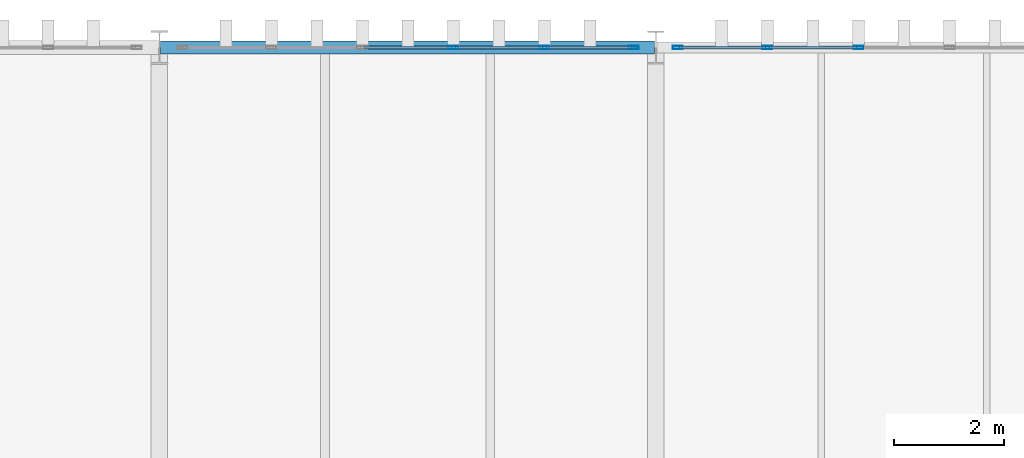
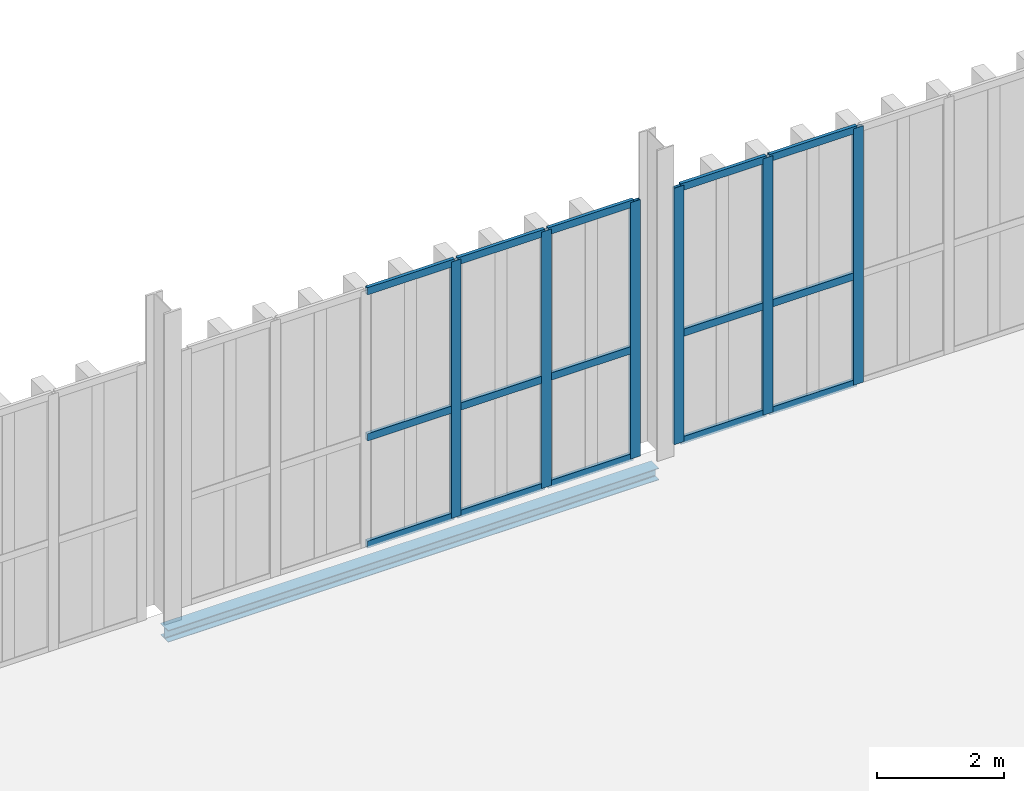
# One storey, part 138 of 211: 21 members, 1 beam, 2 elements without a shape of their own.
"""IFC4 building model written with IfcOpenShell, lengths in metres."""

from ifc_helpers import new_model, si_unit, direction, frame, origin, origin_2d, place, context, subcontext, project, spatial, hollow_rectangle, i_section, extrude, material, layer, layer_set, material_profile, profile_set, type_object, element, aggregate, save


model = new_model("IFC4")

# Units and contexts
model_context = context("Model", 3, precision=1e-05, world=origin(), true_north=direction((0.0, 1.0)))
body_context = subcontext(model_context, "Body", "Model", "MODEL_VIEW")
ifc_project = project(units=[si_unit("LENGTHUNIT", "METRE"), si_unit("AREAUNIT", "SQUARE_METRE"), si_unit("VOLUMEUNIT", "CUBIC_METRE"), si_unit("PLANEANGLEUNIT", "RADIAN"), si_unit("MASSUNIT", "GRAM", prefix="KILO")], contexts=[model_context])

# Site, building, storey
site_placement = place(None, origin())
site = spatial("IfcSite", under=ifc_project, at=site_placement, CompositionType="ELEMENT")
building_placement = place(site_placement, origin())
building = spatial("IfcBuilding", under=site, at=building_placement, Name="Barlavento Convention Centre", CompositionType="ELEMENT")
storey_placement = place(building_placement, frame((0.0, 0.0, 6.0)))
storey = spatial("IfcBuildingStorey", under=building, at=storey_placement, Name="L01", CompositionType="ELEMENT", Elevation=6.0)

# Curtain wall, members
ifc_material_1 = material(Name="Powder-coated aluminium and Low-E glass", Category="aluminium")
ifc_layer = layer(ifc_material_1, 0.179931640625)
ifc_layer_set = layer_set([ifc_layer], Name="ARC-CW-EXH-L01")
curtain_wall_type = type_object("IfcCurtainWallType", Name="ARC-CW-EXH-L01", PredefinedType="NOTDEFINED", material=ifc_layer_set)
curtain_wall_1_placement = place(storey_placement, origin())
curtain_wall_1 = element("IfcCurtainWall", 1, at=curtain_wall_1_placement, inside=storey, type_object=curtain_wall_type, Name="L01 unitised curtain wall CW04", PredefinedType="NOTDEFINED")
ifc_material_2 = material(Name="Powder-coated aluminium", Category="aluminium")
ifc_material_profile_1 = material_profile(ifc_material_2, hollow_rectangle(XDim=0.06005859375, YDim=0.179931640625, WallThickness=0.0048828125, at=origin_2d()), Name="AL-MULL 60x180x5")
ifc_profile_set_1 = profile_set([ifc_material_profile_1], Name="Powder-coated aluminium")
member_type_1 = type_object("IfcMemberType", Name="ARC-CWM-60X180", PredefinedType="MULLION", material=ifc_profile_set_1)
member_1_placement = place(storey_placement, frame((23.330078125, 135.0, 0.0), z_axis=(0.0, 0.0, 1.0), x_axis=(0.0, 1.0, 0.0)))
member_1 = element("IfcMember", 2, at=member_1_placement, type_object=member_type_1, Name="CW04 mullion 4", PredefinedType="MULLION", context=body_context, shape_type="SweptSolid", body=[
    extrude(hollow_rectangle(XDim=0.06005859375, YDim=0.179931640625, WallThickness=0.0048828125, at=origin_2d()), origin(), (0.0, 0.0, 1.0), 4.949951171875),
])
member_2_placement = place(storey_placement, frame((24.97998046875, 135.0, 0.0), z_axis=(0.0, 0.0, 1.0), x_axis=(0.0, 1.0, 0.0)))
member_2 = element("IfcMember", 3, at=member_2_placement, type_object=member_type_1, Name="CW04 mullion 5", PredefinedType="MULLION", context=body_context, shape_type="SweptSolid", body=[
    extrude(hollow_rectangle(XDim=0.06005859375, YDim=0.179931640625, WallThickness=0.0048828125, at=origin_2d()), origin(), (0.0, 0.0, 1.0), 4.949951171875),
])
member_3_placement = place(storey_placement, frame((26.60009765625, 135.0, 0.0), z_axis=(0.0, 0.0, 1.0), x_axis=(0.0, 1.0, 0.0)))
member_3 = element("IfcMember", 4, at=member_3_placement, type_object=member_type_1, Name="CW04 mullion 6", PredefinedType="MULLION", context=body_context, shape_type="SweptSolid", body=[
    extrude(hollow_rectangle(XDim=0.06005859375, YDim=0.179931640625, WallThickness=0.0048828125, at=origin_2d()), origin(), (0.0, 0.0, 1.0), 4.949951171875),
])

curtain_wall_2_placement = place(storey_placement, origin())
curtain_wall_2 = element("IfcCurtainWall", 5, at=curtain_wall_2_placement, inside=storey, type_object=curtain_wall_type, Name="L01 unitised curtain wall CW04", PredefinedType="NOTDEFINED")
member_4_placement = place(storey_placement, frame((27.39990234375, 135.0, 0.0), z_axis=(0.0, 0.0, 1.0), x_axis=(0.0, 1.0, 0.0)))
member_4 = element("IfcMember", 6, at=member_4_placement, type_object=member_type_1, Name="CW04 mullion 1", PredefinedType="MULLION", context=body_context, shape_type="SweptSolid", body=[
    extrude(hollow_rectangle(XDim=0.06005859375, YDim=0.179931640625, WallThickness=0.0048828125, at=origin_2d()), origin(), (0.0, 0.0, 1.0), 4.949951171875),
])
member_5_placement = place(storey_placement, frame((29.02197265625, 135.0, 0.0), z_axis=(0.0, 0.0, 1.0), x_axis=(0.0, 1.0, 0.0)))
member_5 = element("IfcMember", 7, at=member_5_placement, type_object=member_type_1, Name="CW04 mullion 2", PredefinedType="MULLION", context=body_context, shape_type="SweptSolid", body=[
    extrude(hollow_rectangle(XDim=0.06005859375, YDim=0.179931640625, WallThickness=0.0048828125, at=origin_2d()), origin(), (0.0, 0.0, 1.0), 4.949951171875),
])
member_6_placement = place(storey_placement, frame((30.674072265625, 135.0, 0.0), z_axis=(0.0, 0.0, 1.0), x_axis=(0.0, 1.0, 0.0)))
member_6 = element("IfcMember", 8, at=member_6_placement, type_object=member_type_1, Name="CW04 mullion 3", PredefinedType="MULLION", context=body_context, shape_type="SweptSolid", body=[
    extrude(hollow_rectangle(XDim=0.06005859375, YDim=0.179931640625, WallThickness=0.0048828125, at=origin_2d()), origin(), (0.0, 0.0, 1.0), 4.949951171875),
])

# Member
ifc_material_profile_2 = material_profile(ifc_material_2, hollow_rectangle(XDim=0.06005859375, YDim=0.139892578125, WallThickness=0.00390625, at=origin_2d()), Name="AL-TRAN 60x140x4")
ifc_profile_set_2 = profile_set([ifc_material_profile_2], Name="Powder-coated aluminium")
member_type_2 = type_object("IfcMemberType", Name="ARC-CWT-60X140", PredefinedType="USERDEFINED", material=ifc_profile_set_2)
member_7_placement = place(storey_placement, frame((21.7099609375, 135.0, 0.030029296875), z_axis=(1.0, 0.0, 0.0), x_axis=(0.0, 1.0, 0.0)))
member_7 = element("IfcMember", 9, at=member_7_placement, type_object=member_type_2, Name="CW04 transom 3.1", ObjectType="TRANSOM", PredefinedType="USERDEFINED", context=body_context, shape_type="SweptSolid", body=[
    extrude(hollow_rectangle(XDim=0.06005859375, YDim=0.139892578125, WallThickness=0.00390625, at=origin_2d()), origin(), (0.0, 0.0, 1.0), 1.590087890625),
])

member_8_placement = place(storey_placement, frame((21.7099609375, 135.0, 2.10009765625), z_axis=(1.0, 0.0, 0.0), x_axis=(0.0, 1.0, 0.0)))
member_8 = element("IfcMember", 10, at=member_8_placement, type_object=member_type_2, Name="CW04 transom 3.2", ObjectType="TRANSOM", PredefinedType="USERDEFINED", context=body_context, shape_type="SweptSolid", body=[
    extrude(hollow_rectangle(XDim=0.06005859375, YDim=0.139892578125, WallThickness=0.00390625, at=origin_2d()), origin(), (0.0, 0.0, 1.0), 1.590087890625),
])

member_9_placement = place(storey_placement, frame((21.7099609375, 135.0, 4.919921875), z_axis=(1.0, 0.0, 0.0), x_axis=(0.0, 1.0, 0.0)))
member_9 = element("IfcMember", 11, at=member_9_placement, type_object=member_type_2, Name="CW04 transom 3.3", ObjectType="TRANSOM", PredefinedType="USERDEFINED", context=body_context, shape_type="SweptSolid", body=[
    extrude(hollow_rectangle(XDim=0.06005859375, YDim=0.139892578125, WallThickness=0.00390625, at=origin_2d()), origin(), (0.0, 0.0, 1.0), 1.590087890625),
])

member_10_placement = place(storey_placement, frame((23.360107421875, 135.0, 0.030029296875), z_axis=(1.0, 0.0, 0.0), x_axis=(0.0, 1.0, 0.0)))
member_10 = element("IfcMember", 12, at=member_10_placement, type_object=member_type_2, Name="CW04 transom 4.1", ObjectType="TRANSOM", PredefinedType="USERDEFINED", context=body_context, shape_type="SweptSolid", body=[
    extrude(hollow_rectangle(XDim=0.06005859375, YDim=0.139892578125, WallThickness=0.00390625, at=origin_2d()), origin(), (0.0, 0.0, 1.0), 1.58984375),
])

member_11_placement = place(storey_placement, frame((23.360107421875, 135.0, 2.10009765625), z_axis=(1.0, 0.0, 0.0), x_axis=(0.0, 1.0, 0.0)))
member_11 = element("IfcMember", 13, at=member_11_placement, type_object=member_type_2, Name="CW04 transom 4.2", ObjectType="TRANSOM", PredefinedType="USERDEFINED", context=body_context, shape_type="SweptSolid", body=[
    extrude(hollow_rectangle(XDim=0.06005859375, YDim=0.139892578125, WallThickness=0.00390625, at=origin_2d()), origin(), (0.0, 0.0, 1.0), 1.58984375),
])

member_12_placement = place(storey_placement, frame((23.360107421875, 135.0, 4.919921875), z_axis=(1.0, 0.0, 0.0), x_axis=(0.0, 1.0, 0.0)))
member_12 = element("IfcMember", 14, at=member_12_placement, type_object=member_type_2, Name="CW04 transom 4.3", ObjectType="TRANSOM", PredefinedType="USERDEFINED", context=body_context, shape_type="SweptSolid", body=[
    extrude(hollow_rectangle(XDim=0.06005859375, YDim=0.139892578125, WallThickness=0.00390625, at=origin_2d()), origin(), (0.0, 0.0, 1.0), 1.58984375),
])

member_13_placement = place(storey_placement, frame((25.010009765625, 135.0, 0.030029296875), z_axis=(1.0, 0.0, 0.0), x_axis=(0.0, 1.0, 0.0)))
member_13 = element("IfcMember", 15, at=member_13_placement, type_object=member_type_2, Name="CW04 transom 5.1", ObjectType="TRANSOM", PredefinedType="USERDEFINED", context=body_context, shape_type="SweptSolid", body=[
    extrude(hollow_rectangle(XDim=0.06005859375, YDim=0.139892578125, WallThickness=0.00390625, at=origin_2d()), origin(), (0.0, 0.0, 1.0), 1.56005859375),
])

member_14_placement = place(storey_placement, frame((25.010009765625, 135.0, 2.10009765625), z_axis=(1.0, 0.0, 0.0), x_axis=(0.0, 1.0, 0.0)))
member_14 = element("IfcMember", 16, at=member_14_placement, type_object=member_type_2, Name="CW04 transom 5.2", ObjectType="TRANSOM", PredefinedType="USERDEFINED", context=body_context, shape_type="SweptSolid", body=[
    extrude(hollow_rectangle(XDim=0.06005859375, YDim=0.139892578125, WallThickness=0.00390625, at=origin_2d()), origin(), (0.0, 0.0, 1.0), 1.56005859375),
])

member_15_placement = place(storey_placement, frame((25.010009765625, 135.0, 4.919921875), z_axis=(1.0, 0.0, 0.0), x_axis=(0.0, 1.0, 0.0)))
member_15 = element("IfcMember", 17, at=member_15_placement, type_object=member_type_2, Name="CW04 transom 5.3", ObjectType="TRANSOM", PredefinedType="USERDEFINED", context=body_context, shape_type="SweptSolid", body=[
    extrude(hollow_rectangle(XDim=0.06005859375, YDim=0.139892578125, WallThickness=0.00390625, at=origin_2d()), origin(), (0.0, 0.0, 1.0), 1.56005859375),
])

aggregate(curtain_wall_1, [member_1, member_2, member_3, member_7, member_8, member_9, member_10, member_11, member_12, member_13, member_14, member_15])

member_16_placement = place(storey_placement, frame((27.429931640625, 135.0, 0.030029296875), z_axis=(1.0, 0.0, 0.0), x_axis=(0.0, 1.0, 0.0)))
member_16 = element("IfcMember", 18, at=member_16_placement, type_object=member_type_2, Name="CW04 transom 1.1", ObjectType="TRANSOM", PredefinedType="USERDEFINED", context=body_context, shape_type="SweptSolid", body=[
    extrude(hollow_rectangle(XDim=0.06005859375, YDim=0.139892578125, WallThickness=0.00390625, at=origin_2d()), origin(), (0.0, 0.0, 1.0), 1.56201171875),
])

member_17_placement = place(storey_placement, frame((27.429931640625, 135.0, 2.10009765625), z_axis=(1.0, 0.0, 0.0), x_axis=(0.0, 1.0, 0.0)))
member_17 = element("IfcMember", 19, at=member_17_placement, type_object=member_type_2, Name="CW04 transom 1.2", ObjectType="TRANSOM", PredefinedType="USERDEFINED", context=body_context, shape_type="SweptSolid", body=[
    extrude(hollow_rectangle(XDim=0.06005859375, YDim=0.139892578125, WallThickness=0.00390625, at=origin_2d()), origin(), (0.0, 0.0, 1.0), 1.56201171875),
])

member_18_placement = place(storey_placement, frame((27.429931640625, 135.0, 4.919921875), z_axis=(1.0, 0.0, 0.0), x_axis=(0.0, 1.0, 0.0)))
member_18 = element("IfcMember", 20, at=member_18_placement, type_object=member_type_2, Name="CW04 transom 1.3", ObjectType="TRANSOM", PredefinedType="USERDEFINED", context=body_context, shape_type="SweptSolid", body=[
    extrude(hollow_rectangle(XDim=0.06005859375, YDim=0.139892578125, WallThickness=0.00390625, at=origin_2d()), origin(), (0.0, 0.0, 1.0), 1.56201171875),
])

member_19_placement = place(storey_placement, frame((29.052001953125, 135.0, 0.030029296875), z_axis=(1.0, 0.0, 0.0), x_axis=(0.0, 1.0, 0.0)))
member_19 = element("IfcMember", 21, at=member_19_placement, type_object=member_type_2, Name="CW04 transom 2.1", ObjectType="TRANSOM", PredefinedType="USERDEFINED", context=body_context, shape_type="SweptSolid", body=[
    extrude(hollow_rectangle(XDim=0.06005859375, YDim=0.139892578125, WallThickness=0.00390625, at=origin_2d()), origin(), (0.0, 0.0, 1.0), 1.592041015625),
])

member_20_placement = place(storey_placement, frame((29.052001953125, 135.0, 2.10009765625), z_axis=(1.0, 0.0, 0.0), x_axis=(0.0, 1.0, 0.0)))
member_20 = element("IfcMember", 22, at=member_20_placement, type_object=member_type_2, Name="CW04 transom 2.2", ObjectType="TRANSOM", PredefinedType="USERDEFINED", context=body_context, shape_type="SweptSolid", body=[
    extrude(hollow_rectangle(XDim=0.06005859375, YDim=0.139892578125, WallThickness=0.00390625, at=origin_2d()), origin(), (0.0, 0.0, 1.0), 1.592041015625),
])

member_21_placement = place(storey_placement, frame((29.052001953125, 135.0, 4.919921875), z_axis=(1.0, 0.0, 0.0), x_axis=(0.0, 1.0, 0.0)))
member_21 = element("IfcMember", 23, at=member_21_placement, type_object=member_type_2, Name="CW04 transom 2.3", ObjectType="TRANSOM", PredefinedType="USERDEFINED", context=body_context, shape_type="SweptSolid", body=[
    extrude(hollow_rectangle(XDim=0.06005859375, YDim=0.139892578125, WallThickness=0.00390625, at=origin_2d()), origin(), (0.0, 0.0, 1.0), 1.592041015625),
])

aggregate(curtain_wall_2, [member_4, member_5, member_6, member_16, member_17, member_18, member_19, member_20, member_21])

# Beam
ifc_material_3 = material(Name="Steel S355", Category="steel")
ifc_material_profile_3 = material_profile(ifc_material_3, i_section(OverallWidth=0.239990234375, OverallDepth=0.22998046875, WebThickness=0.007568359375, FlangeThickness=0.011962890625, FilletRadius=0.02099609375, at=origin_2d()), Name="HEA 240")
ifc_profile_set_3 = profile_set([ifc_material_profile_3], Name="Steel S355")
beam_type = type_object("IfcBeamType", Name="STR-BM-SPN-HEA240", PredefinedType="SPANDREL", material=ifc_profile_set_3)
beam_placement = place(storey_placement, frame((18.02001953125, 135.0, -0.39501953125), z_axis=(1.0, 0.0, 0.0), x_axis=(0.0, 1.0, 0.0)))
element("IfcBeam", 24, at=beam_placement, inside=storey, type_object=beam_type, Name="L01 primary girder SP05", PredefinedType="SPANDREL", context=body_context, shape_type="SweptSolid", body=[
    extrude(i_section(OverallWidth=0.239990234375, OverallDepth=0.22998046875, WebThickness=0.007568359375, FlangeThickness=0.011962890625, FilletRadius=0.02099609375, at=origin_2d()), origin(), (0.0, 0.0, 1.0), 8.9599609375),
])

save(model, "model.ifc")
